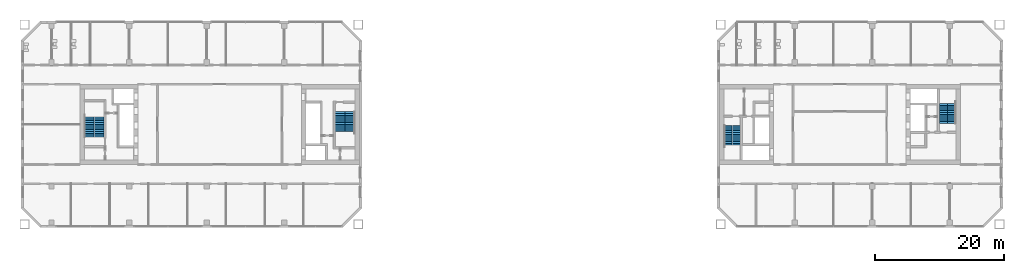
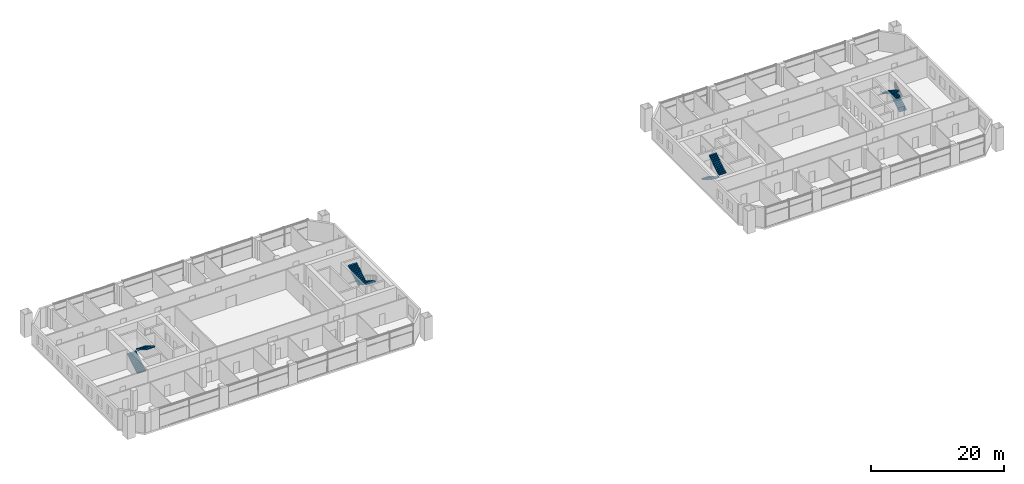
# One storey, part 17 of 19: 8 stair flights, 4 elements without a shape of their own.
"""IFC4 building model written with IfcOpenShell, lengths in metres."""

from ifc_helpers import new_model, si_unit, direction, frame, origin, place, context, subcontext, project, spatial, polyline, outline, extrude, material, type_object, element, aggregate, save


model = new_model("IFC4")

# Units and contexts
model_context = context("Model", 3, precision=1e-05, world=origin(), true_north=direction((0.0, 1.0)))
body_context = subcontext(model_context, "Body", "Model", "MODEL_VIEW")
ifc_project = project(units=[si_unit("LENGTHUNIT", "METRE"), si_unit("AREAUNIT", "SQUARE_METRE"), si_unit("VOLUMEUNIT", "CUBIC_METRE"), si_unit("PLANEANGLEUNIT", "RADIAN"), si_unit("MASSUNIT", "GRAM", prefix="KILO")], contexts=[model_context])

# Site, building, storey
site_placement = place(None, origin())
site = spatial("IfcSite", under=ifc_project, at=site_placement, CompositionType="ELEMENT")
building_placement = place(site_placement, origin())
building = spatial("IfcBuilding", under=site, at=building_placement, Name="Tuart Gate Housing", CompositionType="ELEMENT")
storey_placement = place(building_placement, frame((0.0, 0.0, 67.39990234375)))
storey = spatial("IfcBuildingStorey", under=building, at=storey_placement, Name="L18", CompositionType="ELEMENT", Elevation=67.39990234375)

# Stair, stair flights
ifc_material_1 = material(Name="Concrete C40", Category="concrete")
stair_type_1 = type_object("IfcStairType", Name="Core stair 1250", PredefinedType="HALF_TURN_STAIR", material=ifc_material_1)
stair_1_placement = place(storey_placement, origin())
stair_1 = element("IfcStair", 1, at=stair_1_placement, inside=storey, type_object=stair_type_1, Name="Stair SB1", PredefinedType="HALF_TURN_STAIR")
ifc_material_2 = material(Name="Concrete C40", Category="concrete")
stair_flight_type_1 = type_object("IfcStairFlightType", Name="Stair flight 1250, 12 risers 175 x 280", PredefinedType="STRAIGHT", material=ifc_material_2)
stair_flight_1_placement = place(storey_placement, frame((132.68505859375, 69.85009765625, 0.0), z_axis=(0.0, 0.0, 1.0), x_axis=(0.0, -1.0, 0.0)))
stair_flight_1 = element("IfcStairFlight", 2, at=stair_flight_1_placement, type_object=stair_flight_type_1, Name="SB1 flight 1", NumberOfRisers=12, NumberOfTreads=11, PredefinedType="STRAIGHT", RiserHeight=0.175, TreadLength=0.28, context=body_context, shape_type="SweptSolid", body=[
    extrude(outline(polyline([(0.0, 0.0), (0.0, 0.175048828125), (0.280029296875, 0.175048828125), (0.280029296875, 0.35009765625), (0.56005859375, 0.35009765625), (0.56005859375, 0.52490234375), (0.840087890625, 0.52490234375), (0.840087890625, 0.699951171875), (1.1201171875, 0.699951171875), (1.1201171875, 0.875), (1.39990234375, 0.875), (1.39990234375, 1.050048828125), (1.679931640625, 1.050048828125), (1.679931640625, 1.22509765625), (1.9599609375, 1.22509765625), (1.9599609375, 1.39990234375), (2.239990234375, 1.39990234375), (2.239990234375, 1.574951171875), (2.52001953125, 1.574951171875), (2.52001953125, 1.75), (2.800048828125, 1.75), (2.800048828125, 1.925048828125), (3.080078125, 1.925048828125), (3.080078125, 2.10009765625), (3.080078125, 1.748291015625), (0.28271484375, 0.0), (0.0, 0.0)])), frame((0.0, 0.625, 0.0), z_axis=(0.0, -1.0, 0.0), x_axis=(1.0, 0.0, 0.0)), (0.0, 0.0, 1.0), 1.25),
])
stair_flight_2_placement = place(storey_placement, frame((133.985107421875, 66.77001953125, 2.10009765625), z_axis=(0.0, 0.0, 1.0), x_axis=(0.0, 1.0, 0.0)))
stair_flight_2 = element("IfcStairFlight", 3, at=stair_flight_2_placement, type_object=stair_flight_type_1, Name="SB1 flight 2", NumberOfRisers=12, NumberOfTreads=11, PredefinedType="STRAIGHT", RiserHeight=0.175, TreadLength=0.28, context=body_context, shape_type="SweptSolid", body=[
    extrude(outline(polyline([(0.0, 0.0), (0.0, 0.175048828125), (0.280029296875, 0.175048828125), (0.280029296875, 0.35009765625), (0.56005859375, 0.35009765625), (0.56005859375, 0.52490234375), (0.840087890625, 0.52490234375), (0.840087890625, 0.699951171875), (1.1201171875, 0.699951171875), (1.1201171875, 0.875), (1.39990234375, 0.875), (1.39990234375, 1.050048828125), (1.679931640625, 1.050048828125), (1.679931640625, 1.22509765625), (1.9599609375, 1.22509765625), (1.9599609375, 1.39990234375), (2.239990234375, 1.39990234375), (2.239990234375, 1.574951171875), (2.52001953125, 1.574951171875), (2.52001953125, 1.75), (2.800048828125, 1.75), (2.800048828125, 1.925048828125), (3.080078125, 1.925048828125), (3.080078125, 2.10009765625), (3.080078125, 1.748291015625), (0.28271484375, 0.0), (0.0, 0.0)])), frame((0.0, 0.625, 0.0), z_axis=(0.0, -1.0, 0.0), x_axis=(1.0, 0.0, 0.0)), (0.0, 0.0, 1.0), 1.25),
])
aggregate(stair_1, [stair_flight_1, stair_flight_2])

stair_2_placement = place(storey_placement, origin())
stair_2 = element("IfcStair", 4, at=stair_2_placement, inside=storey, type_object=stair_type_1, Name="Stair SB2", PredefinedType="HALF_TURN_STAIR")
stair_flight_3_placement = place(storey_placement, frame((167.31494140625, 70.14990234375, 0.0), z_axis=(0.0, 0.0, 1.0), x_axis=(0.0, 1.0, 0.0)))
stair_flight_3 = element("IfcStairFlight", 5, at=stair_flight_3_placement, type_object=stair_flight_type_1, Name="SB2 flight 1", NumberOfRisers=12, NumberOfTreads=11, PredefinedType="STRAIGHT", RiserHeight=0.175, TreadLength=0.28, context=body_context, shape_type="SweptSolid", body=[
    extrude(outline(polyline([(0.0, 0.0), (0.0, 0.175048828125), (0.280029296875, 0.175048828125), (0.280029296875, 0.35009765625), (0.56005859375, 0.35009765625), (0.56005859375, 0.52490234375), (0.840087890625, 0.52490234375), (0.840087890625, 0.699951171875), (1.1201171875, 0.699951171875), (1.1201171875, 0.875), (1.39990234375, 0.875), (1.39990234375, 1.050048828125), (1.679931640625, 1.050048828125), (1.679931640625, 1.22509765625), (1.9599609375, 1.22509765625), (1.9599609375, 1.39990234375), (2.239990234375, 1.39990234375), (2.239990234375, 1.574951171875), (2.52001953125, 1.574951171875), (2.52001953125, 1.75), (2.800048828125, 1.75), (2.800048828125, 1.925048828125), (3.080078125, 1.925048828125), (3.080078125, 2.10009765625), (3.080078125, 1.748291015625), (0.28271484375, 0.0), (0.0, 0.0)])), frame((0.0, 0.625, 0.0), z_axis=(0.0, -1.0, 0.0), x_axis=(1.0, 0.0, 0.0)), (0.0, 0.0, 1.0), 1.25),
])
stair_flight_4_placement = place(storey_placement, frame((166.014892578125, 73.22998046875, 2.10009765625), z_axis=(0.0, 0.0, 1.0), x_axis=(0.0, -1.0, 0.0)))
stair_flight_4 = element("IfcStairFlight", 6, at=stair_flight_4_placement, type_object=stair_flight_type_1, Name="SB2 flight 2", NumberOfRisers=12, NumberOfTreads=11, PredefinedType="STRAIGHT", RiserHeight=0.175, TreadLength=0.28, context=body_context, shape_type="SweptSolid", body=[
    extrude(outline(polyline([(0.0, 0.0), (0.0, 0.175048828125), (0.280029296875, 0.175048828125), (0.280029296875, 0.35009765625), (0.56005859375, 0.35009765625), (0.56005859375, 0.52490234375), (0.840087890625, 0.52490234375), (0.840087890625, 0.699951171875), (1.1201171875, 0.699951171875), (1.1201171875, 0.875), (1.39990234375, 0.875), (1.39990234375, 1.050048828125), (1.679931640625, 1.050048828125), (1.679931640625, 1.22509765625), (1.9599609375, 1.22509765625), (1.9599609375, 1.39990234375), (2.239990234375, 1.39990234375), (2.239990234375, 1.574951171875), (2.52001953125, 1.574951171875), (2.52001953125, 1.75), (2.800048828125, 1.75), (2.800048828125, 1.925048828125), (3.080078125, 1.925048828125), (3.080078125, 2.10009765625), (3.080078125, 1.748291015625), (0.28271484375, 0.0), (0.0, 0.0)])), frame((0.0, 0.625, 0.0), z_axis=(0.0, -1.0, 0.0), x_axis=(1.0, 0.0, 0.0)), (0.0, 0.0, 1.0), 1.25),
])
aggregate(stair_2, [stair_flight_3, stair_flight_4])

ifc_material_3 = material(Name="Concrete C40", Category="concrete")
stair_type_2 = type_object("IfcStairType", Name="Core stair 1500", PredefinedType="HALF_TURN_STAIR", material=ifc_material_3)
stair_3_placement = place(storey_placement, origin())
stair_3 = element("IfcStair", 7, at=stair_3_placement, inside=storey, type_object=stair_type_2, Name="Stair SA1", PredefinedType="HALF_TURN_STAIR")
ifc_material_4 = material(Name="Concrete C40", Category="concrete")
stair_flight_type_2 = type_object("IfcStairFlightType", Name="Stair flight 1500, 12 risers 175 x 280", PredefinedType="STRAIGHT", material=ifc_material_4)
stair_flight_5_placement = place(storey_placement, frame((74.18994140625, 71.949951171875, 0.0), z_axis=(0.0, 0.0, 1.0), x_axis=(0.0, -1.0, 0.0)))
stair_flight_5 = element("IfcStairFlight", 8, at=stair_flight_5_placement, type_object=stair_flight_type_2, Name="SA1 flight 1", NumberOfRisers=12, NumberOfTreads=11, PredefinedType="STRAIGHT", RiserHeight=0.175, TreadLength=0.28, context=body_context, shape_type="SweptSolid", body=[
    extrude(outline(polyline([(0.0, 0.0), (0.0, 0.175048828125), (0.280029296875, 0.175048828125), (0.280029296875, 0.35009765625), (0.56005859375, 0.35009765625), (0.56005859375, 0.52490234375), (0.840087890625, 0.52490234375), (0.840087890625, 0.699951171875), (1.1201171875, 0.699951171875), (1.1201171875, 0.875), (1.39990234375, 0.875), (1.39990234375, 1.050048828125), (1.679931640625, 1.050048828125), (1.679931640625, 1.22509765625), (1.9599609375, 1.22509765625), (1.9599609375, 1.39990234375), (2.239990234375, 1.39990234375), (2.239990234375, 1.574951171875), (2.52001953125, 1.574951171875), (2.52001953125, 1.75), (2.800048828125, 1.75), (2.800048828125, 1.925048828125), (3.080078125, 1.925048828125), (3.080078125, 2.10009765625), (3.080078125, 1.748291015625), (0.28271484375, 0.0), (0.0, 0.0)])), frame((0.0, 0.75, 0.0), z_axis=(0.0, -1.0, 0.0), x_axis=(1.0, 0.0, 0.0)), (0.0, 0.0, 1.0), 1.5),
])
stair_flight_6_placement = place(storey_placement, frame((72.639892578125, 68.8701171875, 2.10009765625), z_axis=(0.0, 0.0, 1.0), x_axis=(0.0, 1.0, 0.0)))
stair_flight_6 = element("IfcStairFlight", 9, at=stair_flight_6_placement, type_object=stair_flight_type_2, Name="SA1 flight 2", NumberOfRisers=12, NumberOfTreads=11, PredefinedType="STRAIGHT", RiserHeight=0.175, TreadLength=0.28, context=body_context, shape_type="SweptSolid", body=[
    extrude(outline(polyline([(0.0, 0.0), (0.0, 0.175048828125), (0.280029296875, 0.175048828125), (0.280029296875, 0.35009765625), (0.56005859375, 0.35009765625), (0.56005859375, 0.52490234375), (0.840087890625, 0.52490234375), (0.840087890625, 0.699951171875), (1.1201171875, 0.699951171875), (1.1201171875, 0.875), (1.39990234375, 0.875), (1.39990234375, 1.050048828125), (1.679931640625, 1.050048828125), (1.679931640625, 1.22509765625), (1.9599609375, 1.22509765625), (1.9599609375, 1.39990234375), (2.239990234375, 1.39990234375), (2.239990234375, 1.574951171875), (2.52001953125, 1.574951171875), (2.52001953125, 1.75), (2.800048828125, 1.75), (2.800048828125, 1.925048828125), (3.080078125, 1.925048828125), (3.080078125, 2.10009765625), (3.080078125, 1.748291015625), (0.28271484375, 0.0), (0.0, 0.0)])), frame((0.0, 0.75, 0.0), z_axis=(0.0, -1.0, 0.0), x_axis=(1.0, 0.0, 0.0)), (0.0, 0.0, 1.0), 1.5),
])
aggregate(stair_3, [stair_flight_5, stair_flight_6])

stair_4_placement = place(storey_placement, origin())
stair_4 = element("IfcStair", 10, at=stair_4_placement, inside=storey, type_object=stair_type_2, Name="Stair SA2", PredefinedType="HALF_TURN_STAIR")
stair_flight_7_placement = place(storey_placement, frame((33.81005859375, 68.050048828125, 0.0), z_axis=(0.0, 0.0, 1.0), x_axis=(0.0, 1.0, 0.0)))
stair_flight_7 = element("IfcStairFlight", 11, at=stair_flight_7_placement, type_object=stair_flight_type_2, Name="SA2 flight 1", NumberOfRisers=12, NumberOfTreads=11, PredefinedType="STRAIGHT", RiserHeight=0.175, TreadLength=0.28, context=body_context, shape_type="SweptSolid", body=[
    extrude(outline(polyline([(0.0, 0.0), (0.0, 0.175048828125), (0.280029296875, 0.175048828125), (0.280029296875, 0.35009765625), (0.56005859375, 0.35009765625), (0.56005859375, 0.52490234375), (0.840087890625, 0.52490234375), (0.840087890625, 0.699951171875), (1.1201171875, 0.699951171875), (1.1201171875, 0.875), (1.39990234375, 0.875), (1.39990234375, 1.050048828125), (1.679931640625, 1.050048828125), (1.679931640625, 1.22509765625), (1.9599609375, 1.22509765625), (1.9599609375, 1.39990234375), (2.239990234375, 1.39990234375), (2.239990234375, 1.574951171875), (2.52001953125, 1.574951171875), (2.52001953125, 1.75), (2.800048828125, 1.75), (2.800048828125, 1.925048828125), (3.080078125, 1.925048828125), (3.080078125, 2.10009765625), (3.080078125, 1.748291015625), (0.28271484375, 0.0), (0.0, 0.0)])), frame((0.0, 0.75, 0.0), z_axis=(0.0, -1.0, 0.0), x_axis=(1.0, 0.0, 0.0)), (0.0, 0.0, 1.0), 1.5),
])
stair_flight_8_placement = place(storey_placement, frame((35.360107421875, 71.1298828125, 2.10009765625), z_axis=(0.0, 0.0, 1.0), x_axis=(0.0, -1.0, 0.0)))
stair_flight_8 = element("IfcStairFlight", 12, at=stair_flight_8_placement, type_object=stair_flight_type_2, Name="SA2 flight 2", NumberOfRisers=12, NumberOfTreads=11, PredefinedType="STRAIGHT", RiserHeight=0.175, TreadLength=0.28, context=body_context, shape_type="SweptSolid", body=[
    extrude(outline(polyline([(0.0, 0.0), (0.0, 0.175048828125), (0.280029296875, 0.175048828125), (0.280029296875, 0.35009765625), (0.56005859375, 0.35009765625), (0.56005859375, 0.52490234375), (0.840087890625, 0.52490234375), (0.840087890625, 0.699951171875), (1.1201171875, 0.699951171875), (1.1201171875, 0.875), (1.39990234375, 0.875), (1.39990234375, 1.050048828125), (1.679931640625, 1.050048828125), (1.679931640625, 1.22509765625), (1.9599609375, 1.22509765625), (1.9599609375, 1.39990234375), (2.239990234375, 1.39990234375), (2.239990234375, 1.574951171875), (2.52001953125, 1.574951171875), (2.52001953125, 1.75), (2.800048828125, 1.75), (2.800048828125, 1.925048828125), (3.080078125, 1.925048828125), (3.080078125, 2.10009765625), (3.080078125, 1.748291015625), (0.28271484375, 0.0), (0.0, 0.0)])), frame((0.0, 0.75, 0.0), z_axis=(0.0, -1.0, 0.0), x_axis=(1.0, 0.0, 0.0)), (0.0, 0.0, 1.0), 1.5),
])
aggregate(stair_4, [stair_flight_7, stair_flight_8])

save(model, "model.ifc")
